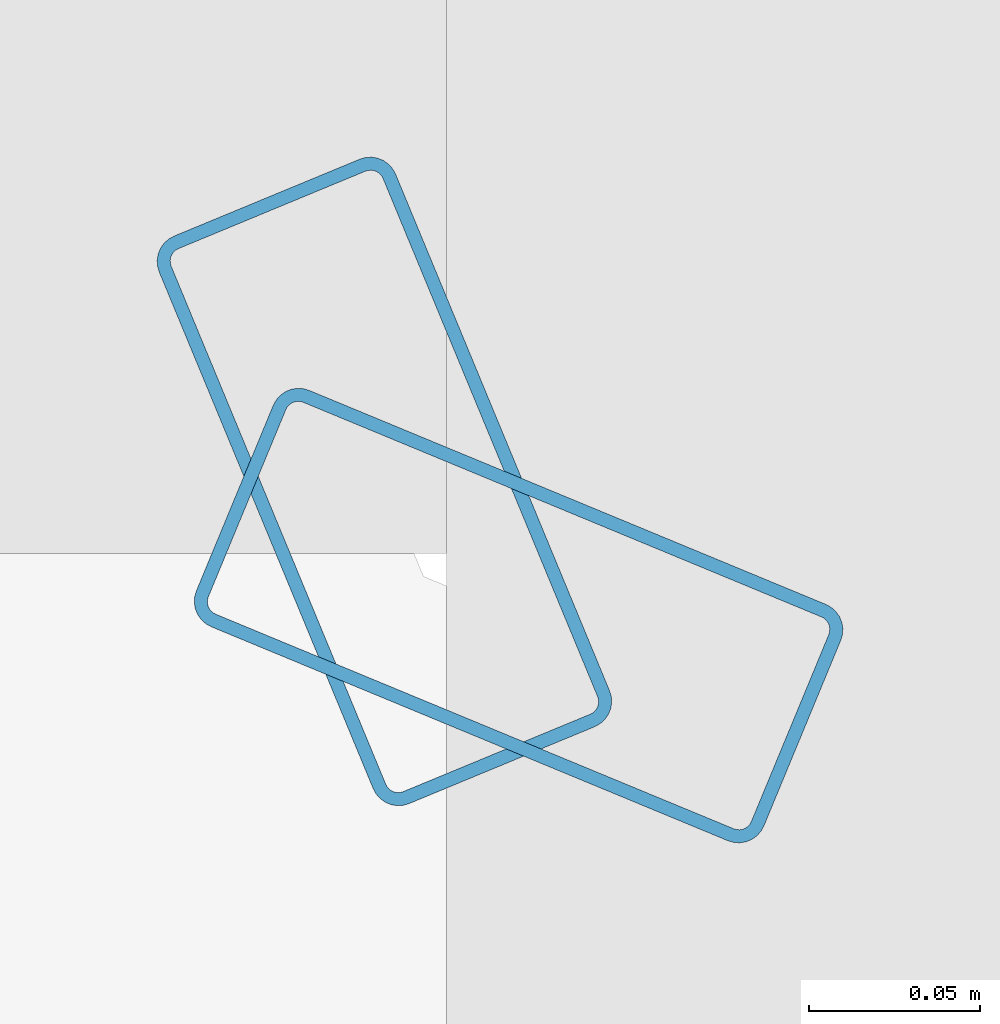
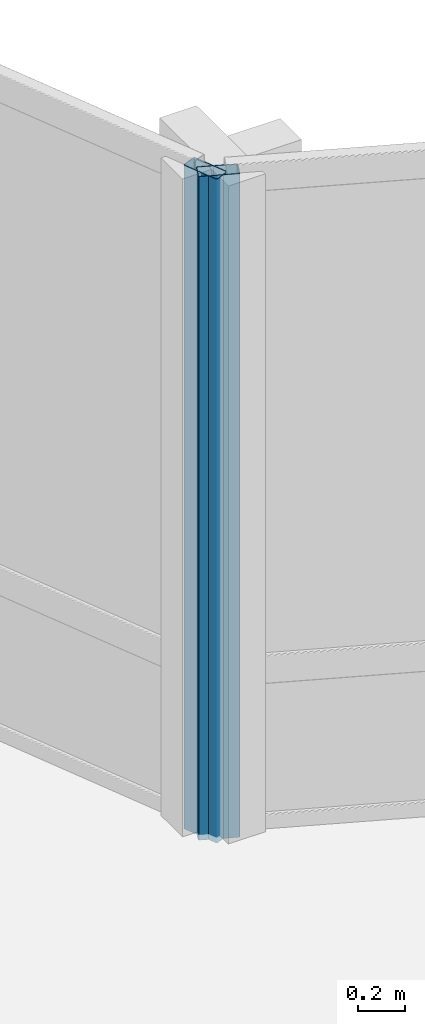
# One storey, part 8 of 27: 2 members, 2 elements without a shape of their own.
"""IFC4 building model written with IfcOpenShell, lengths in metres."""

from ifc_helpers import new_model, si_unit, direction, frame, origin, origin_2d, place, context, subcontext, project, spatial, hollow_rectangle, extrude, material, layer, layer_set, material_profile, profile_set, type_object, element, aggregate, save


model = new_model("IFC4")

# Units and contexts
model_context = context("Model", 3, precision=1e-05, world=origin(), true_north=direction((0.0, 1.0)))
body_context = subcontext(model_context, "Body", "Model", "MODEL_VIEW")
ifc_project = project(units=[si_unit("LENGTHUNIT", "METRE"), si_unit("AREAUNIT", "SQUARE_METRE"), si_unit("VOLUMEUNIT", "CUBIC_METRE"), si_unit("PLANEANGLEUNIT", "RADIAN"), si_unit("MASSUNIT", "GRAM", prefix="KILO")], contexts=[model_context])

# Site, building, storey
site_placement = place(None, origin())
site = spatial("IfcSite", under=ifc_project, at=site_placement, CompositionType="ELEMENT")
building_placement = place(site_placement, origin())
building = spatial("IfcBuilding", under=site, at=building_placement, Name="Solvaryn Broadcast Tower", CompositionType="ELEMENT")
storey_placement = place(building_placement, frame((0.0, 0.0, 185.300048828125)))
storey = spatial("IfcBuildingStorey", under=building, at=storey_placement, Name="L46", CompositionType="ELEMENT", Elevation=185.300048828125)

# Curtain wall, member
ifc_material_1 = material(Name="Aluminium and Terracotta Unitised Curtain Wall", Category="masonry")
ifc_layer = layer(ifc_material_1, 0.199951171875)
ifc_layer_set = layer_set([ifc_layer], Name="CW-SYS2-LOWMID")
curtain_wall_type = type_object("IfcCurtainWallType", Name="CW-SYS2-LOWMID", PredefinedType="NOTDEFINED", material=ifc_layer_set)
curtain_wall_1_placement = place(storey_placement, origin())
curtain_wall_1 = element("IfcCurtainWall", 1, at=curtain_wall_1_placement, inside=storey, type_object=curtain_wall_type, Name="L46 Curtain Wall CN1", PredefinedType="NOTDEFINED")
ifc_material_2 = material(Name="Anodised Aluminium 6063-T6", Category="aluminium")
ifc_material_profile = material_profile(ifc_material_2, hollow_rectangle(XDim=0.074951171875, YDim=0.179931640625, WallThickness=0.00390625, InnerFilletRadius=0.00390625, OuterFilletRadius=0.008056640625, at=origin_2d()))
ifc_profile_set = profile_set([ifc_material_profile], Name="Anodised Aluminium 6063-T6")
member_type = type_object("IfcMemberType", Name="CW-MUL-180", PredefinedType="MULLION", material=ifc_profile_set)
member_1_placement = place(storey_placement, frame((30.395751953125, 30.3564453125, 0.0), z_axis=(0.0, 0.0, 1.0), x_axis=(-0.382646127145, -0.923894983957, 0.0)))
member_1 = element("IfcMember", 2, at=member_1_placement, type_object=member_type, Name="CWS2 mullion 2", PredefinedType="MULLION", context=body_context, shape_type="SweptSolid", body=[
    extrude(hollow_rectangle(XDim=0.074951171875, YDim=0.179931640625, WallThickness=0.00390625, InnerFilletRadius=0.00390625, OuterFilletRadius=0.008056640625, at=origin_2d()), origin(), (0.0, 0.0, 1.0), 3.419921875),
])
aggregate(curtain_wall_1, [member_1])

curtain_wall_2_placement = place(storey_placement, origin())
curtain_wall_2 = element("IfcCurtainWall", 3, at=curtain_wall_2_placement, inside=storey, type_object=curtain_wall_type, Name="L46 Curtain Wall CN2", PredefinedType="NOTDEFINED")
member_2_placement = place(storey_placement, frame((30.3564453125, 30.395751953125, 0.0), z_axis=(0.0, 0.0, 1.0), x_axis=(-0.923894983957, -0.382646127145, 0.0)))
member_2 = element("IfcMember", 4, at=member_2_placement, type_object=member_type, Name="CWS2 mullion 1", PredefinedType="MULLION", context=body_context, shape_type="SweptSolid", body=[
    extrude(hollow_rectangle(XDim=0.074951171875, YDim=0.179931640625, WallThickness=0.00390625, InnerFilletRadius=0.00390625, OuterFilletRadius=0.008056640625, at=origin_2d()), origin(), (0.0, 0.0, 1.0), 3.419921875),
])
aggregate(curtain_wall_2, [member_2])

save(model, "model.ifc")
